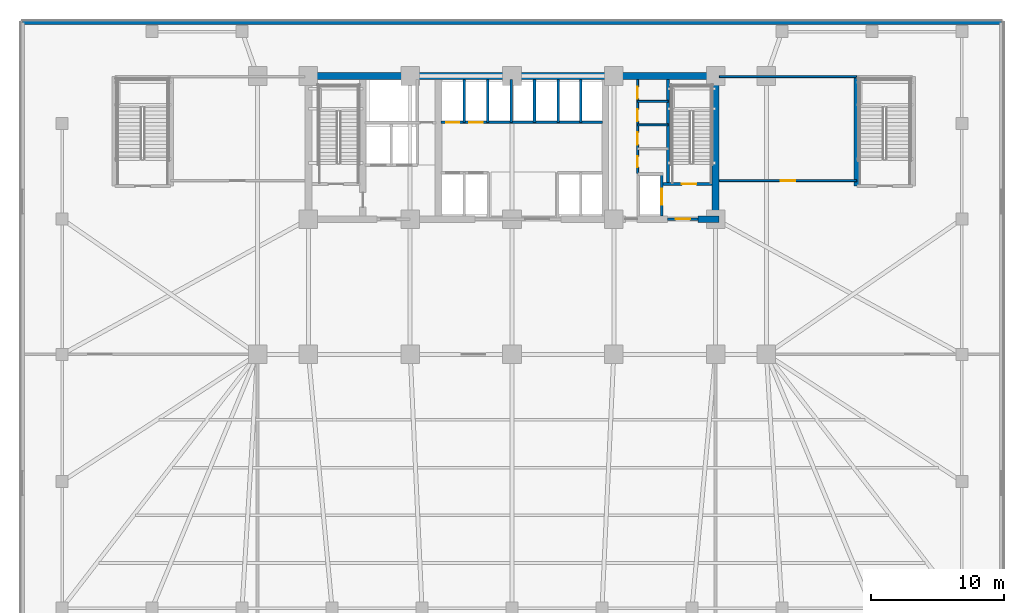
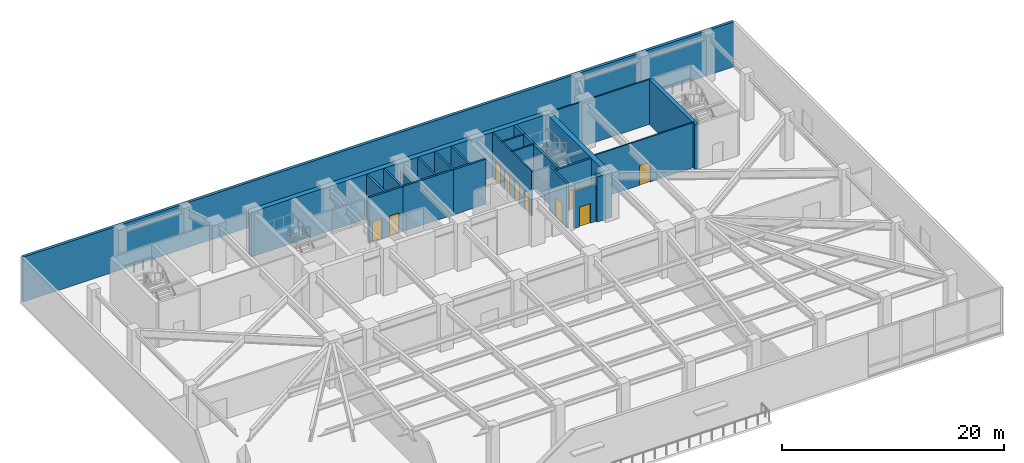
# One storey, part 9 of 15: 23 walls, 10 doors, 10 openings.
"""IFC4 building model written with IfcOpenShell, lengths in metres."""

from ifc_helpers import new_model, si_unit, direction, frame, frame_2d, origin, place, context, subcontext, project, spatial, rectangle, extrude, material, layer, layer_set, type_object, element, fill, save


model = new_model("IFC4")

# Units and contexts
model_context = context("Model", 3, precision=1e-05, world=origin(), true_north=direction((0.0, 1.0)))
body_context = subcontext(model_context, "Body", "Model", "MODEL_VIEW")
ifc_project = project(units=[si_unit("LENGTHUNIT", "METRE"), si_unit("AREAUNIT", "SQUARE_METRE"), si_unit("VOLUMEUNIT", "CUBIC_METRE"), si_unit("PLANEANGLEUNIT", "RADIAN"), si_unit("MASSUNIT", "GRAM", prefix="KILO")], contexts=[model_context])

# Site, building, storey
site_placement = place(None, origin())
site = spatial("IfcSite", under=ifc_project, at=site_placement, CompositionType="ELEMENT")
building_placement = place(site_placement, origin())
building = spatial("IfcBuilding", under=site, at=building_placement, Name="Yelkora Congress Tower", CompositionType="ELEMENT")
storey_placement = place(building_placement, frame((0.0, 0.0, 10.39990234375)))
storey = spatial("IfcBuildingStorey", under=building, at=storey_placement, Name="L02", CompositionType="ELEMENT", Elevation=10.39990234375)

# Walls
ifc_material_1 = material(Name="Concrete C50/60", Category="concrete")
ifc_layer_1 = layer(ifc_material_1, 0.219970703125)
ifc_layer_set_1 = layer_set([ifc_layer_1], Name="Concrete C50/60")
wall_type_1 = type_object("IfcWallType", Name="WALL-CORE-INT-220", PredefinedType="SHEAR", material=ifc_layer_set_1)
wall_1_placement = place(storey_placement, frame((50.179931640625, 38.050048828125, 0.0), z_axis=(0.0, 0.0, 1.0), x_axis=(0.0, 1.0, 0.0)))
element("IfcWall", 1, at=wall_1_placement, inside=storey, type_object=wall_type_1, Name="L02 ST02 West Stair Shear Wall", PredefinedType="SHEAR", context=body_context, shape_type="SweptSolid", body=[
    extrude(rectangle(XDim=7.89990234375, YDim=0.219970703125, at=frame_2d((3.949951171875, 0.0))), origin(), (0.0, 0.0, 1.0), 4.940185546875),
])
ifc_layer_2 = layer(ifc_material_1, 0.39990234375)
ifc_layer_set_2 = layer_set([ifc_layer_2], Name="Concrete C50/60")
wall_type_2 = type_object("IfcWallType", Name="WALL-CORE-INT-400", PredefinedType="SHEAR", material=ifc_layer_set_2)
wall_2_placement = place(storey_placement, frame((64.39990234375, 37.89990234375, 0.0), z_axis=(0.0, 0.0, 1.0), x_axis=(0.0, 1.0, 0.0)))
element("IfcWall", 2, at=wall_2_placement, inside=storey, type_object=wall_type_2, Name="L02 STP2 West Shear Wall", PredefinedType="SHEAR", context=body_context, shape_type="SweptSolid", body=[
    extrude(rectangle(XDim=8.25, YDim=0.39990234375, at=frame_2d((4.125, 0.0))), origin(), (0.0, 0.0, 1.0), 4.940185546875),
])
ifc_material_2 = material(Name="Concrete C60/75", Category="concrete")
ifc_layer_3 = layer(ifc_material_2, 0.5)
ifc_layer_set_3 = layer_set([ifc_layer_3], Name="Concrete C60/75")
wall_type_3 = type_object("IfcWallType", Name="WALL-CORE-INT-500", PredefinedType="SHEAR", material=ifc_layer_set_3)
wall_3_placement = place(storey_placement, frame((22.7900390625, 46.199951171875, 0.0), z_axis=(0.0, 0.0, 1.0), x_axis=(1.0, 0.0, 0.0)))
element("IfcWall", 3, at=wall_3_placement, inside=storey, type_object=wall_type_3, Name="L02 Rear Core North Shear Wall", PredefinedType="SHEAR", context=body_context, shape_type="SweptSolid", body=[
    extrude(rectangle(XDim=31.219970703125, YDim=0.5, at=frame_2d((15.60986328125, 0.0))), origin(), (0.0, 0.0, 1.0), 4.940185546875),
])
wall_4_placement = place(storey_placement, frame((52.449951171875, 35.39990234375, 0.0), z_axis=(0.0, 0.0, 1.0), x_axis=(1.0, 0.0, 0.0)))
element("IfcWall", 4, at=wall_4_placement, inside=storey, type_object=wall_type_3, Name="L02 Rear Core South-East Shear Wall B", PredefinedType="SHEAR", context=body_context, shape_type="SweptSolid", body=[
    extrude(rectangle(XDim=1.56005859375, YDim=0.5, at=frame_2d((0.780029296875, 0.0))), origin(), (0.0, 0.0, 1.0), 4.940185546875),
])
wall_5_placement = place(storey_placement, frame((53.760009765625, 35.64990234375, 0.0), z_axis=(0.0, 0.0, 1.0), x_axis=(0.0, 1.0, 0.0)))
element("IfcWall", 5, at=wall_5_placement, inside=storey, type_object=wall_type_3, Name="L02 Rear Core Cross Shear Wall E", PredefinedType="SHEAR", context=body_context, shape_type="SweptSolid", body=[
    extrude(rectangle(XDim=10.300048828125, YDim=0.5, at=frame_2d((5.14990234375, 0.0))), origin(), (0.0, 0.0, 1.0), 4.940185546875),
])
ifc_material_3 = material(Name="Concrete C40/50", Category="concrete")
ifc_layer_4 = layer(ifc_material_3, 0.280029296875)
ifc_layer_set_4 = layer_set([ifc_layer_4], Name="Concrete C40/50")
wall_type_4 = type_object("IfcWallType", Name="WALL-EXT-LIMESTONE-280", PredefinedType="SOLIDWALL", material=ifc_layer_set_4)
wall_6_placement = place(storey_placement, frame((1.4599609375, 50.239990234375, 0.0), z_axis=(0.0, 0.0, 1.0), x_axis=(1.0, 0.0, 0.0)))
element("IfcWall", 6, at=wall_6_placement, inside=storey, type_object=wall_type_4, Name="L02 Podium Limestone Wall 2", PredefinedType="SOLIDWALL", context=body_context, shape_type="SweptSolid", body=[
    extrude(rectangle(XDim=73.880126953125, YDim=0.280029296875, at=frame_2d((36.93994140625, 0.0))), origin(), (0.0, 0.0, 1.0), 4.940185546875),
])
ifc_material_4 = material(Name="Acoustic metal-stud gypsum partition", Category="gypsum")
ifc_layer_5 = layer(ifc_material_4, 0.14990234375)
ifc_layer_set_5 = layer_set([ifc_layer_5], Name="Acoustic metal-stud gypsum partition")
wall_type_5 = type_object("IfcWallType", Name="WALL-INT-150-NR", PredefinedType="PARTITIONING", material=ifc_layer_set_5)
for number, where, z_axis, x_axis, name in (
    (7, (47.8798828125, 42.52001953125, 0.0), (0.0, 0.0, 1.0), (1.0, 0.0, 0.0), "L02 Partition Wall 29"),
    (8, (47.8798828125, 44.280029296875, 0.0), (0.0, 0.0, 1.0), (1.0, 0.0, 0.0), "L02 Partition Wall 30"),
):
    element("IfcWall", number, at=place(storey_placement, frame(where, z_axis=z_axis, x_axis=x_axis)), inside=storey, type_object=wall_type_5, Name=name, PredefinedType="PARTITIONING", context=body_context, shape_type="SweptSolid", body=[
        extrude(rectangle(XDim=2.300048828125, YDim=0.14990234375, at=frame_2d((1.14990234375, 0.0))), origin(), (0.0, 0.0, 1.0), 4.940185546875),
    ])

# Wall, openings, doors
wall_7_placement = place(storey_placement, frame((47.8798828125, 38.85009765625, 0.0), z_axis=(0.0, 0.0, 1.0), x_axis=(0.0, 1.0, 0.0)))
wall_7 = element("IfcWall", 9, at=wall_7_placement, inside=storey, type_object=wall_type_5, Name="L02 Partition Wall 31", PredefinedType="PARTITIONING", context=body_context, shape_type="SweptSolid", body=[
    extrude(rectangle(XDim=7.06982421875, YDim=0.14990234375, at=frame_2d((3.534912109375, 0.0))), origin(), (0.0, 0.0, 1.0), 4.940185546875),
])
opening_1_placement = place(wall_7_placement, frame((0.449951171875, 0.0, 0.0)))
opening_1 = element("IfcOpeningElement", 10, at=opening_1_placement, cuts=wall_7, Name="Opening DR-085N", PredefinedType="OPENING", context=body_context, shape_type="SweptSolid", body=[
    extrude(rectangle(XDim=0.85009765625, YDim=2.14990234375, at=frame_2d((0.425048828125, 1.074951171875))), frame((0.0, 0.0849609375, 0.0), z_axis=(0.0, -1.0, 0.0), x_axis=(1.0, 0.0, 0.0)), (0.0, 0.0, 1.0), 0.169921875),
])
opening_2_placement = place(wall_7_placement, frame((2.14990234375, 0.0, 0.0)))
opening_2 = element("IfcOpeningElement", 11, at=opening_2_placement, cuts=wall_7, Name="Opening DR-095N", PredefinedType="OPENING", context=body_context, shape_type="SweptSolid", body=[
    extrude(rectangle(XDim=0.949951171875, YDim=2.14990234375, at=frame_2d((0.47509765625, 1.074951171875))), frame((0.0, 0.0849609375, 0.0), z_axis=(0.0, -1.0, 0.0), x_axis=(1.0, 0.0, 0.0)), (0.0, 0.0, 1.0), 0.169921875),
])
opening_3_placement = place(wall_7_placement, frame((3.949951171875, 0.0, 0.0)))
opening_3 = element("IfcOpeningElement", 12, at=opening_3_placement, cuts=wall_7, Name="Opening DR-090N", PredefinedType="OPENING", context=body_context, shape_type="SweptSolid", body=[
    extrude(rectangle(XDim=0.89990234375, YDim=2.14990234375, at=frame_2d((0.449951171875, 1.074951171875))), frame((0.0, 0.0849609375, 0.0), z_axis=(0.0, -1.0, 0.0), x_axis=(1.0, 0.0, 0.0)), (0.0, 0.0, 1.0), 0.169921875),
])
opening_4_placement = place(wall_7_placement, frame((5.64990234375, 0.0, 0.0)))
opening_4 = element("IfcOpeningElement", 13, at=opening_4_placement, cuts=wall_7, Name="Opening DR-090N", PredefinedType="OPENING", context=body_context, shape_type="SweptSolid", body=[
    extrude(rectangle(XDim=0.89990234375, YDim=2.14990234375, at=frame_2d((0.449951171875, 1.074951171875))), frame((0.0, 0.0849609375, 0.0), z_axis=(0.0, -1.0, 0.0), x_axis=(1.0, 0.0, 0.0)), (0.0, 0.0, 1.0), 0.169921875),
])
ifc_material_5 = material(Name="Laminate service store door leaf", Category="wood")
door_type_1 = type_object("IfcDoorType", Name="DOOR-INT-850", OperationType="NOTDEFINED", PredefinedType="DOOR", material=ifc_material_5)
door_1_placement = place(opening_1_placement, origin())
door_1 = element("IfcDoor", 14, at=door_1_placement, inside=storey, type_object=door_type_1, Name="L02 Janitor Room Door", OperationType="SINGLE_SWING_RIGHT", OverallHeight=2.14990234375, OverallWidth=0.85009765625, PredefinedType="DOOR", context=body_context, shape_type="SweptSolid", body=[
    extrude(rectangle(XDim=0.85009765625, YDim=2.14990234375, at=frame_2d((0.425048828125, 1.074951171875))), frame((0.0, 0.02490234375, 0.0), z_axis=(0.0, -1.0, 0.0), x_axis=(1.0, 0.0, 0.0)), (0.0, 0.0, 1.0), 0.050048828125),
])
fill(opening_1, door_1)
ifc_material_6 = material(Name="Moisture-resistant laminate door leaf", Category="wood")
door_type_2 = type_object("IfcDoorType", Name="DOOR-INT-900", OperationType="NOTDEFINED", PredefinedType="DOOR", material=ifc_material_6)
door_2_placement = place(opening_3_placement, origin())
door_2 = element("IfcDoor", 15, at=door_2_placement, inside=storey, type_object=door_type_2, Name="L02 Male WC Door", OperationType="SINGLE_SWING_RIGHT", OverallHeight=2.14990234375, OverallWidth=0.89990234375, PredefinedType="DOOR", context=body_context, shape_type="SweptSolid", body=[
    extrude(rectangle(XDim=0.89990234375, YDim=2.14990234375, at=frame_2d((0.449951171875, 1.074951171875))), frame((0.0, 0.02490234375, 0.0), z_axis=(0.0, -1.0, 0.0), x_axis=(1.0, 0.0, 0.0)), (0.0, 0.0, 1.0), 0.050048828125),
])
fill(opening_3, door_2)
door_3_placement = place(opening_4_placement, origin())
door_3 = element("IfcDoor", 16, at=door_3_placement, inside=storey, type_object=door_type_2, Name="L02 Female WC Door", OperationType="SINGLE_SWING_LEFT", OverallHeight=2.14990234375, OverallWidth=0.89990234375, PredefinedType="DOOR", context=body_context, shape_type="SweptSolid", body=[
    extrude(rectangle(XDim=0.89990234375, YDim=2.14990234375, at=frame_2d((0.449951171875, 1.074951171875))), frame((0.0, 0.02490234375, 0.0), z_axis=(0.0, -1.0, 0.0), x_axis=(1.0, 0.0, 0.0)), (0.0, 0.0, 1.0), 0.050048828125),
])
fill(opening_4, door_3)
ifc_material_7 = material(Name="Acoustic laminated timber office door", Category="wood")
door_type_3 = type_object("IfcDoorType", Name="DOOR-INT-950", OperationType="NOTDEFINED", PredefinedType="DOOR", material=ifc_material_7)
door_4_placement = place(opening_2_placement, origin())
door_4 = element("IfcDoor", 17, at=door_4_placement, inside=storey, type_object=door_type_3, Name="L02 Accessible WC Door", OperationType="SINGLE_SWING_LEFT", OverallHeight=2.14990234375, OverallWidth=0.949951171875, PredefinedType="DOOR", context=body_context, shape_type="SweptSolid", body=[
    extrude(rectangle(XDim=0.949951171875, YDim=2.14990234375, at=frame_2d((0.47509765625, 1.074951171875))), frame((0.0, 0.02490234375, 0.0), z_axis=(0.0, -1.0, 0.0), x_axis=(1.0, 0.0, 0.0)), (0.0, 0.0, 1.0), 0.050048828125),
])
fill(opening_2, door_4)

# Wall, opening, door
wall_8_placement = place(storey_placement, frame((54.050048828125, 38.300048828125, 0.0), z_axis=(0.0, 0.0, 1.0), x_axis=(1.0, 0.0, 0.0)))
wall_8 = element("IfcWall", 18, at=wall_8_placement, inside=storey, type_object=wall_type_5, Name="L02 Partition Wall 38", PredefinedType="PARTITIONING", context=body_context, shape_type="SweptSolid", body=[
    extrude(rectangle(XDim=10.349853515625, YDim=0.14990234375, at=frame_2d((5.1748046875, 0.0))), origin(), (0.0, 0.0, 1.0), 4.940185546875),
])
opening_5_placement = place(wall_8_placement, frame((4.625, 0.0, 0.0)))
opening_5 = element("IfcOpeningElement", 19, at=opening_5_placement, cuts=wall_8, Name="Opening DR-110N", PredefinedType="OPENING", context=body_context, shape_type="SweptSolid", body=[
    extrude(rectangle(XDim=1.10009765625, YDim=2.14990234375, at=frame_2d((0.550048828125, 1.074951171875))), frame((0.0, 0.0849609375, 0.0), z_axis=(0.0, -1.0, 0.0), x_axis=(1.0, 0.0, 0.0)), (0.0, 0.0, 1.0), 0.169921875),
])
ifc_material_8 = material(Name="Solid-core Anatolian oak veneer door", Category="wood")
door_type_4 = type_object("IfcDoorType", Name="DOOR-INT-1100", OperationType="NOTDEFINED", PredefinedType="DOOR", material=ifc_material_8)
door_5_placement = place(opening_5_placement, origin())
door_5 = element("IfcDoor", 20, at=door_5_placement, inside=storey, type_object=door_type_4, Name="L02 Interior Door 21", OperationType="SINGLE_SWING_LEFT", OverallHeight=2.14990234375, OverallWidth=1.10009765625, PredefinedType="DOOR", context=body_context, shape_type="SweptSolid", body=[
    extrude(rectangle(XDim=1.10009765625, YDim=2.14990234375, at=frame_2d((0.550048828125, 1.074951171875))), frame((0.0, 0.02490234375, 0.0), z_axis=(0.0, -1.0, 0.0), x_axis=(1.0, 0.0, 0.0)), (0.0, 0.0, 1.0), 0.050048828125),
])
fill(opening_5, door_5)

# Walls
wall_9_placement = place(storey_placement, frame((54.050048828125, 46.14990234375, 0.0), z_axis=(0.0, 0.0, 1.0), x_axis=(1.0, 0.0, 0.0)))
element("IfcWall", 21, at=wall_9_placement, inside=storey, type_object=wall_type_5, Name="L02 Partition Wall 39", PredefinedType="PARTITIONING", context=body_context, shape_type="SweptSolid", body=[
    extrude(rectangle(XDim=10.349853515625, YDim=0.14990234375, at=frame_2d((5.1748046875, 0.0))), origin(), (0.0, 0.0, 1.0), 4.940185546875),
])
ifc_material_9 = material(Name="Autoclaved aerated concrete blockwork", Category="masonry")
ifc_layer_6 = layer(ifc_material_9, 0.199951171875)
ifc_layer_set_6 = layer_set([ifc_layer_6], Name="Autoclaved aerated concrete blockwork")
wall_type_6 = type_object("IfcWallType", Name="WALL-INT-200-R120", PredefinedType="PARTITIONING", material=ifc_layer_set_6)
wall_10_placement = place(storey_placement, frame((36.60009765625, 42.699951171875, 0.0), z_axis=(0.0, 0.0, 1.0), x_axis=(1.0, 0.0, 0.0)))
element("IfcWall", 22, at=wall_10_placement, inside=storey, type_object=wall_type_6, Name="L02 Partition Wall 8", PredefinedType="PARTITIONING", context=body_context, shape_type="SweptSolid", body=[
    extrude(rectangle(XDim=5.25, YDim=0.199951171875, at=frame_2d((2.625, 0.0))), origin(), (0.0, 0.0, 1.0), 4.940185546875),
])
wall_11_placement = place(storey_placement, frame((38.35009765625, 42.699951171875, 0.0), z_axis=(0.0, 0.0, 1.0), x_axis=(0.0, 1.0, 0.0)))
element("IfcWall", 23, at=wall_11_placement, inside=storey, type_object=wall_type_6, Name="L02 Partition Wall 9", PredefinedType="PARTITIONING", context=body_context, shape_type="SweptSolid", body=[
    extrude(rectangle(XDim=3.219970703125, YDim=0.199951171875, at=frame_2d((1.60986328125, 0.0))), origin(), (0.0, 0.0, 1.0), 4.03515625),
])
wall_12_placement = place(storey_placement, frame((40.10009765625, 42.699951171875, 0.0), z_axis=(0.0, 0.0, 1.0), x_axis=(0.0, 1.0, 0.0)))
element("IfcWall", 24, at=wall_12_placement, inside=storey, type_object=wall_type_6, Name="L02 Partition Wall 10", PredefinedType="PARTITIONING", context=body_context, shape_type="SweptSolid", body=[
    extrude(rectangle(XDim=3.219970703125, YDim=0.199951171875, at=frame_2d((1.60986328125, 0.0))), origin(), (0.0, 0.0, 1.0), 4.940185546875),
])

# Wall, openings, doors
wall_13_placement = place(storey_placement, frame((33.050048828125, 42.699951171875, 0.0), z_axis=(0.0, 0.0, 1.0), x_axis=(1.0, 0.0, 0.0)))
wall_13 = element("IfcWall", 25, at=wall_13_placement, inside=storey, type_object=wall_type_6, Name="L02 Partition Wall 12", PredefinedType="PARTITIONING", context=body_context, shape_type="SweptSolid", body=[
    extrude(rectangle(XDim=3.570068359375, YDim=0.199951171875, at=frame_2d((1.78515625, 0.0))), origin(), (0.0, 0.0, 1.0), 4.940185546875),
])
opening_6_placement = place(wall_13_placement, frame((0.375, 0.0, 0.0)))
opening_6 = element("IfcOpeningElement", 26, at=opening_6_placement, cuts=wall_13, Name="Opening LD-PS10", PredefinedType="OPENING", context=body_context, shape_type="SweptSolid", body=[
    extrude(rectangle(XDim=1.0, YDim=2.199951171875, at=frame_2d((0.5, 1.10009765625))), frame((0.0, 0.10986328125, 0.0), z_axis=(0.0, -1.0, 0.0), x_axis=(1.0, 0.0, 0.0)), (0.0, 0.0, 1.0), 0.219970703125),
])
opening_7_placement = place(wall_13_placement, frame((2.125, 0.0, 0.0)))
opening_7 = element("IfcOpeningElement", 27, at=opening_7_placement, cuts=wall_13, Name="Opening LD-PS10", PredefinedType="OPENING", context=body_context, shape_type="SweptSolid", body=[
    extrude(rectangle(XDim=1.0, YDim=2.199951171875, at=frame_2d((0.5, 1.10009765625))), frame((0.0, 0.10986328125, 0.0), z_axis=(0.0, -1.0, 0.0), x_axis=(1.0, 0.0, 0.0)), (0.0, 0.0, 1.0), 0.219970703125),
])
ifc_material_10 = material(Name="Champagne stainless steel landing door", Category="steel")
door_type_5 = type_object("IfcDoorType", Name="DOOR-LIFT-PAS-1000", OperationType="DOUBLE_DOOR_SLIDING", PredefinedType="DOOR", material=ifc_material_10)
door_6_placement = place(opening_6_placement, origin())
door_6 = element("IfcDoor", 28, at=door_6_placement, inside=storey, type_object=door_type_5, Name="Lift Landing Door LF-P3 L02", OperationType="DOUBLE_DOOR_SLIDING", OverallHeight=2.199951171875, OverallWidth=1.0, PredefinedType="DOOR", context=body_context, shape_type="SweptSolid", body=[
    extrude(rectangle(XDim=1.0, YDim=2.199951171875, at=frame_2d((0.5, 1.10009765625))), frame((0.0, 0.02490234375, 0.0), z_axis=(0.0, -1.0, 0.0), x_axis=(1.0, 0.0, 0.0)), (0.0, 0.0, 1.0), 0.050048828125),
])
fill(opening_6, door_6)
door_7_placement = place(opening_7_placement, origin())
door_7 = element("IfcDoor", 29, at=door_7_placement, inside=storey, type_object=door_type_5, Name="Lift Landing Door LF-P4 L02", OperationType="DOUBLE_DOOR_SLIDING", OverallHeight=2.199951171875, OverallWidth=1.0, PredefinedType="DOOR", context=body_context, shape_type="SweptSolid", body=[
    extrude(rectangle(XDim=1.0, YDim=2.199951171875, at=frame_2d((0.5, 1.10009765625))), frame((0.0, 0.02490234375, 0.0), z_axis=(0.0, -1.0, 0.0), x_axis=(1.0, 0.0, 0.0)), (0.0, 0.0, 1.0), 0.050048828125),
])
fill(opening_7, door_7)

# Walls
for number, where, z_axis, x_axis, name in (
    (30, (34.800048828125, 42.699951171875, 0.0), (0.0, 0.0, 1.0), (0.0, 1.0, 0.0), "L02 Partition Wall 14"),
    (31, (36.580078125, 42.699951171875, 0.0), (0.0, 0.0, 1.0), (0.0, 1.0, 0.0), "L02 Partition Wall 16"),
):
    element("IfcWall", number, at=place(storey_placement, frame(where, z_axis=z_axis, x_axis=x_axis)), inside=storey, type_object=wall_type_6, Name=name, PredefinedType="PARTITIONING", context=body_context, shape_type="SweptSolid", body=[
        extrude(rectangle(XDim=3.219970703125, YDim=0.199951171875, at=frame_2d((1.60986328125, 0.0))), origin(), (0.0, 0.0, 1.0), 4.940185546875),
    ])
wall_14_placement = place(storey_placement, frame((41.85009765625, 42.699951171875, 0.0), z_axis=(0.0, 0.0, 1.0), x_axis=(1.0, 0.0, 0.0)))
element("IfcWall", 32, at=wall_14_placement, inside=storey, type_object=wall_type_6, Name="L02 Partition Wall 18", PredefinedType="PARTITIONING", context=body_context, shape_type="SweptSolid", body=[
    extrude(rectangle(XDim=3.369873046875, YDim=0.199951171875, at=frame_2d((1.68505859375, 0.0))), origin(), (0.0, 0.0, 1.0), 4.940185546875),
])
for number, where, z_axis, x_axis, name in (
    (33, (43.60009765625, 42.699951171875, 0.0), (0.0, 0.0, 1.0), (0.0, 1.0, 0.0), "L02 Partition Wall 20"),
    (34, (41.8798828125, 42.699951171875, 0.0), (0.0, 0.0, 1.0), (0.0, 1.0, 0.0), "L02 Partition Wall 22"),
):
    element("IfcWall", number, at=place(storey_placement, frame(where, z_axis=z_axis, x_axis=x_axis)), inside=storey, type_object=wall_type_6, Name=name, PredefinedType="PARTITIONING", context=body_context, shape_type="SweptSolid", body=[
        extrude(rectangle(XDim=3.219970703125, YDim=0.199951171875, at=frame_2d((1.60986328125, 0.0))), origin(), (0.0, 0.0, 1.0), 4.940185546875),
    ])

# Wall, opening, door
wall_15_placement = place(storey_placement, frame((49.780029296875, 38.050048828125, 0.0), z_axis=(0.0, 0.0, 1.0), x_axis=(1.0, 0.0, 0.0)))
wall_15 = element("IfcWall", 35, at=wall_15_placement, inside=storey, type_object=wall_type_6, Name="L02 Stair ST-02 Enclosure Wall", PredefinedType="PARTITIONING", context=body_context, shape_type="SweptSolid", body=[
    extrude(rectangle(XDim=3.719970703125, YDim=0.199951171875, at=frame_2d((1.85986328125, 0.0))), origin(), (0.0, 0.0, 1.0), 4.940185546875),
])
opening_8_placement = place(wall_15_placement, frame((1.436279296875, 0.0, 0.0)))
opening_8 = element("IfcOpeningElement", 36, at=opening_8_placement, cuts=wall_15, Name="Opening DR-110F9", PredefinedType="OPENING", context=body_context, shape_type="SweptSolid", body=[
    extrude(rectangle(XDim=1.10009765625, YDim=2.14990234375, at=frame_2d((0.550048828125, 1.074951171875))), frame((0.0, 0.10986328125, 0.0), z_axis=(0.0, -1.0, 0.0), x_axis=(1.0, 0.0, 0.0)), (0.0, 0.0, 1.0), 0.219970703125),
])
ifc_material_11 = material(Name="Galvanised steel fire door leaf", Category="steel")
door_type_6 = type_object("IfcDoorType", Name="DOOR-FD90-1100", OperationType="NOTDEFINED", PredefinedType="DOOR", material=ifc_material_11)
door_8_placement = place(opening_8_placement, origin())
door_8 = element("IfcDoor", 37, at=door_8_placement, inside=storey, type_object=door_type_6, Name="L02 Stair ST-02 Entry Door", OperationType="SINGLE_SWING_LEFT", OverallHeight=2.14990234375, OverallWidth=1.10009765625, PredefinedType="DOOR", context=body_context, shape_type="SweptSolid", body=[
    extrude(rectangle(XDim=1.10009765625, YDim=2.14990234375, at=frame_2d((0.550048828125, 1.074951171875))), frame((0.0, 0.02490234375, 0.0), z_axis=(0.0, -1.0, 0.0), x_axis=(1.0, 0.0, 0.0)), (0.0, 0.0, 1.0), 0.050048828125),
])
fill(opening_8, door_8)

wall_16_placement = place(storey_placement, frame((50.14990234375, 35.39990234375, 0.0), z_axis=(0.0, 0.0, 1.0), x_axis=(1.0, 0.0, 0.0)))
wall_16 = element("IfcWall", 38, at=wall_16_placement, inside=storey, type_object=wall_type_6, Name="L02 Partition Wall 24", PredefinedType="PARTITIONING", context=body_context, shape_type="SweptSolid", body=[
    extrude(rectangle(XDim=2.300048828125, YDim=0.199951171875, at=frame_2d((1.14990234375, 0.0))), origin(), (0.0, 0.0, 1.0), 4.03515625),
])
opening_9_placement = place(wall_16_placement, frame((0.60009765625, 0.0, 0.0)))
opening_9 = element("IfcOpeningElement", 39, at=opening_9_placement, cuts=wall_16, Name="Opening DR-110F9", PredefinedType="OPENING", context=body_context, shape_type="SweptSolid", body=[
    extrude(rectangle(XDim=1.10009765625, YDim=2.14990234375, at=frame_2d((0.550048828125, 1.074951171875))), frame((0.0, 0.10986328125, 0.0), z_axis=(0.0, -1.0, 0.0), x_axis=(1.0, 0.0, 0.0)), (0.0, 0.0, 1.0), 0.219970703125),
])
door_9_placement = place(opening_9_placement, origin())
door_9 = element("IfcDoor", 40, at=door_9_placement, inside=storey, type_object=door_type_6, Name="L02 East Stair Lobby Door", OperationType="SINGLE_SWING_RIGHT", OverallHeight=2.14990234375, OverallWidth=1.10009765625, PredefinedType="DOOR", context=body_context, shape_type="SweptSolid", body=[
    extrude(rectangle(XDim=1.10009765625, YDim=2.14990234375, at=frame_2d((0.550048828125, 1.074951171875))), frame((0.0, 0.02490234375, 0.0), z_axis=(0.0, -1.0, 0.0), x_axis=(1.0, 0.0, 0.0)), (0.0, 0.0, 1.0), 0.050048828125),
])
fill(opening_9, door_9)

wall_17_placement = place(storey_placement, frame((49.699951171875, 35.64990234375, 0.0), z_axis=(0.0, 0.0, 1.0), x_axis=(0.0, 1.0, 0.0)))
wall_17 = element("IfcWall", 41, at=wall_17_placement, inside=storey, type_object=wall_type_6, Name="L02 Partition Wall 25", PredefinedType="PARTITIONING", context=body_context, shape_type="SweptSolid", body=[
    extrude(rectangle(XDim=3.150146484375, YDim=0.199951171875, at=frame_2d((1.5751953125, 0.0))), origin(), (0.0, 0.0, 1.0), 4.940185546875),
])
opening_10_placement = place(wall_17_placement, frame((0.85009765625, 0.0, 0.0)))
opening_10 = element("IfcOpeningElement", 42, at=opening_10_placement, cuts=wall_17, Name="Opening LD-SV12", PredefinedType="OPENING", context=body_context, shape_type="SweptSolid", body=[
    extrude(rectangle(XDim=1.199951171875, YDim=2.199951171875, at=frame_2d((0.60009765625, 1.10009765625))), frame((0.0, 0.10986328125, 0.0), z_axis=(0.0, -1.0, 0.0), x_axis=(1.0, 0.0, 0.0)), (0.0, 0.0, 1.0), 0.219970703125),
])
ifc_material_12 = material(Name="Heavy-duty stainless steel landing door", Category="steel")
door_type_7 = type_object("IfcDoorType", Name="DOOR-LIFT-SRV-1200", OperationType="DOUBLE_DOOR_SLIDING", PredefinedType="DOOR", material=ifc_material_12)
door_10_placement = place(opening_10_placement, origin())
door_10 = element("IfcDoor", 43, at=door_10_placement, inside=storey, type_object=door_type_7, Name="Service Lift Landing Door LF-SV1 L02", OperationType="DOUBLE_DOOR_SLIDING", OverallHeight=2.199951171875, OverallWidth=1.199951171875, PredefinedType="DOOR", context=body_context, shape_type="SweptSolid", body=[
    extrude(rectangle(XDim=1.199951171875, YDim=2.199951171875, at=frame_2d((0.60009765625, 1.10009765625))), frame((0.0, 0.02490234375, 0.0), z_axis=(0.0, -1.0, 0.0), x_axis=(1.0, 0.0, 0.0)), (0.0, 0.0, 1.0), 0.050048828125),
])
fill(opening_10, door_10)

save(model, "model.ifc")
